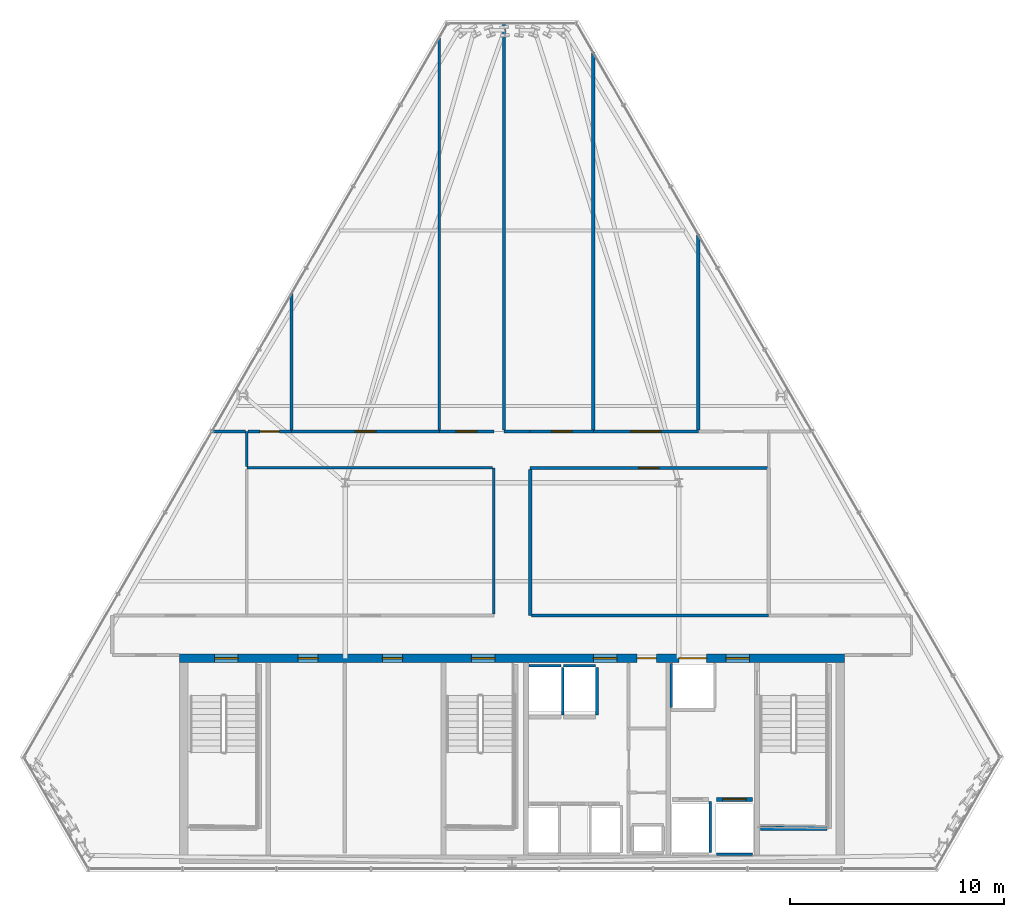
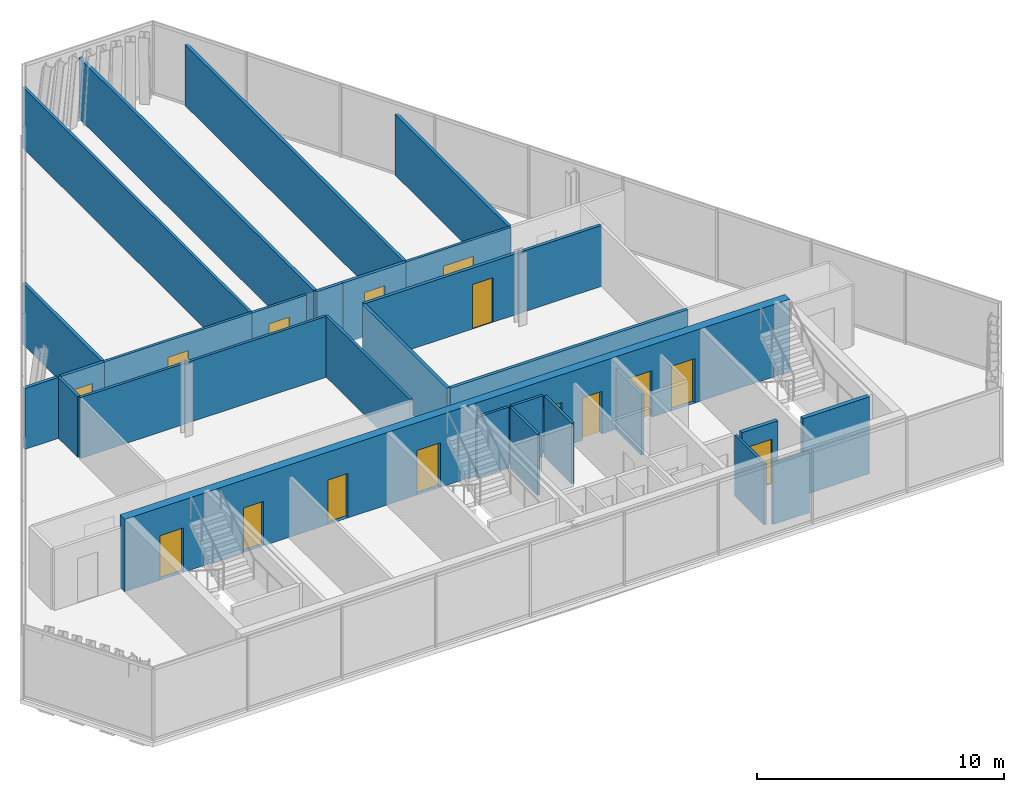
# One storey, part 28 of 32: 28 walls, 15 doors, 15 openings.
"""IFC4 building model written with IfcOpenShell, lengths in metres."""

from ifc_helpers import new_model, si_unit, direction, frame, frame_2d, origin, place, context, subcontext, project, spatial, rectangle, extrude, material, layer, layer_set, type_object, element, fill, save


model = new_model("IFC4")

# Units and contexts
model_context = context("Model", 3, precision=1e-05, world=origin(), true_north=direction((0.0, 1.0)))
body_context = subcontext(model_context, "Body", "Model", "MODEL_VIEW")
ifc_project = project(units=[si_unit("LENGTHUNIT", "METRE"), si_unit("AREAUNIT", "SQUARE_METRE"), si_unit("VOLUMEUNIT", "CUBIC_METRE"), si_unit("PLANEANGLEUNIT", "RADIAN"), si_unit("MASSUNIT", "GRAM", prefix="KILO")], contexts=[model_context])

# Site, building, storey
site_placement = place(None, origin())
site = spatial("IfcSite", under=ifc_project, at=site_placement, CompositionType="ELEMENT")
building_placement = place(site_placement, origin())
building = spatial("IfcBuilding", under=site, at=building_placement, Name="Ndaravel Arena Tower", CompositionType="ELEMENT")
storey_placement = place(building_placement, frame((0.0, 0.0, 259.800048828125)))
storey = spatial("IfcBuildingStorey", under=building, at=storey_placement, Name="L63", CompositionType="ELEMENT", Elevation=259.800048828125)

# Wall, openings, doors
ifc_material_1 = material(Name="Concrete C50/60", Category="concrete")
ifc_layer_1 = layer(ifc_material_1, 0.39990234375)
ifc_layer_set_1 = layer_set([ifc_layer_1], Name="Concrete C50/60")
wall_type_1 = type_object("IfcWallType", Name="WALL-CORE-400", PredefinedType="SOLIDWALL", material=ifc_layer_set_1)
wall_1_placement = place(storey_placement, frame((26.449951171875, 15.0, 0.0), z_axis=(0.0, 0.0, 1.0), x_axis=(1.0, 0.0, 0.0)))
wall_1 = element("IfcWall", 1, at=wall_1_placement, inside=storey, type_object=wall_type_1, Name="L63 Core North Shear Wall", PredefinedType="SOLIDWALL", context=body_context, shape_type="SweptSolid", body=[
    extrude(rectangle(XDim=31.10009765625, YDim=0.39990234375, at=frame_2d((15.550048828125, 0.0))), origin(), (0.0, 0.0, 1.0), 3.579833984375),
])
opening_1_placement = place(wall_1_placement, frame((1.64990234375, 0.0, 0.0)))
opening_1 = element("IfcOpeningElement", 2, at=opening_1_placement, cuts=wall_1, Name="Opening FD-01", PredefinedType="OPENING", context=body_context, shape_type="SweptSolid", body=[
    extrude(rectangle(XDim=1.10009765625, YDim=2.199951171875, at=frame_2d((0.550048828125, 1.10009765625))), frame((0.0, 0.199951171875, 0.0), z_axis=(0.0, -1.0, 0.0), x_axis=(1.0, 0.0, 0.0)), (0.0, 0.0, 1.0), 0.39990234375),
])
opening_2_placement = place(wall_1_placement, frame((13.64990234375, 0.0, 0.0)))
opening_2 = element("IfcOpeningElement", 3, at=opening_2_placement, cuts=wall_1, Name="Opening FD-01", PredefinedType="OPENING", context=body_context, shape_type="SweptSolid", body=[
    extrude(rectangle(XDim=1.10009765625, YDim=2.199951171875, at=frame_2d((0.550048828125, 1.10009765625))), frame((0.0, 0.199951171875, 0.0), z_axis=(0.0, -1.0, 0.0), x_axis=(1.0, 0.0, 0.0)), (0.0, 0.0, 1.0), 0.39990234375),
])
opening_3_placement = place(wall_1_placement, frame((25.550048828125, 0.0, 0.0)))
opening_3 = element("IfcOpeningElement", 4, at=opening_3_placement, cuts=wall_1, Name="Opening FD-01", PredefinedType="OPENING", context=body_context, shape_type="SweptSolid", body=[
    extrude(rectangle(XDim=1.10009765625, YDim=2.199951171875, at=frame_2d((0.550048828125, 1.10009765625))), frame((0.0, 0.199951171875, 0.0), z_axis=(0.0, -1.0, 0.0), x_axis=(1.0, 0.0, 0.0)), (0.0, 0.0, 1.0), 0.39990234375),
])
opening_4_placement = place(wall_1_placement, frame((19.35009765625, 0.0, 0.0)))
opening_4 = element("IfcOpeningElement", 5, at=opening_4_placement, cuts=wall_1, Name="Opening FD-01", PredefinedType="OPENING", context=body_context, shape_type="SweptSolid", body=[
    extrude(rectangle(XDim=1.10009765625, YDim=2.199951171875, at=frame_2d((0.550048828125, 1.10009765625))), frame((0.0, 0.199951171875, 0.0), z_axis=(0.0, -1.0, 0.0), x_axis=(1.0, 0.0, 0.0)), (0.0, 0.0, 1.0), 0.39990234375),
])
opening_5_placement = place(wall_1_placement, frame((21.39990234375, 0.0, 0.0)))
opening_5 = element("IfcOpeningElement", 6, at=opening_5_placement, cuts=wall_1, Name="Opening RD-01", PredefinedType="OPENING", context=body_context, shape_type="SweptSolid", body=[
    extrude(rectangle(XDim=0.89990234375, YDim=2.10009765625, at=frame_2d((0.449951171875, 1.050048828125))), frame((0.0, 0.199951171875, 0.0), z_axis=(0.0, -1.0, 0.0), x_axis=(1.0, 0.0, 0.0)), (0.0, 0.0, 1.0), 0.39990234375),
])
opening_6_placement = place(wall_1_placement, frame((5.5400390625, 0.0, 0.0)))
opening_6 = element("IfcOpeningElement", 7, at=opening_6_placement, cuts=wall_1, Name="Opening FD-03", PredefinedType="OPENING", context=body_context, shape_type="SweptSolid", body=[
    extrude(rectangle(XDim=0.949951171875, YDim=2.199951171875, at=frame_2d((0.47509765625, 1.10009765625))), frame((0.0, 0.199951171875, 0.0), z_axis=(0.0, -1.0, 0.0), x_axis=(1.0, 0.0, 0.0)), (0.0, 0.0, 1.0), 0.39990234375),
])
opening_7_placement = place(wall_1_placement, frame((9.489990234375, 0.0, 0.0)))
opening_7 = element("IfcOpeningElement", 8, at=opening_7_placement, cuts=wall_1, Name="Opening FD-03", PredefinedType="OPENING", context=body_context, shape_type="SweptSolid", body=[
    extrude(rectangle(XDim=0.949951171875, YDim=2.199951171875, at=frame_2d((0.47509765625, 1.10009765625))), frame((0.0, 0.199951171875, 0.0), z_axis=(0.0, -1.0, 0.0), x_axis=(1.0, 0.0, 0.0)), (0.0, 0.0, 1.0), 0.39990234375),
])
opening_8_placement = place(wall_1_placement, frame((23.35009765625, 0.0, 0.0)))
opening_8 = element("IfcOpeningElement", 9, at=opening_8_placement, cuts=wall_1, Name="Opening LD-02", PredefinedType="OPENING", context=body_context, shape_type="SweptSolid", body=[
    extrude(rectangle(XDim=1.300048828125, YDim=2.300048828125, at=frame_2d((0.64990234375, 1.14990234375))), frame((0.0, 0.199951171875, 0.0), z_axis=(0.0, -1.0, 0.0), x_axis=(1.0, 0.0, 0.0)), (0.0, 0.0, 1.0), 0.39990234375),
])
ifc_material_2 = material(Name="Steel S355", Category="steel")
door_type_1 = type_object("IfcDoorType", Name="DT-01-STAIR-1100", OperationType="SINGLE_SWING_LEFT", PredefinedType="DOOR", material=ifc_material_2)
door_1_placement = place(opening_1_placement, origin())
door_1 = element("IfcDoor", 10, at=door_1_placement, inside=storey, type_object=door_type_1, Name="L63 Exit Stair ST-1 Door", OperationType="SINGLE_SWING_RIGHT", OverallHeight=2.199951171875, OverallWidth=1.10009765625, PredefinedType="DOOR", context=body_context, shape_type="SweptSolid", body=[
    extrude(rectangle(XDim=1.10009765625, YDim=2.199951171875, at=frame_2d((0.550048828125, 1.10009765625))), frame((0.0, 0.02490234375, 0.0), z_axis=(0.0, -1.0, 0.0), x_axis=(1.0, 0.0, 0.0)), (0.0, 0.0, 1.0), 0.050048828125),
])
fill(opening_1, door_1)
door_2_placement = place(opening_2_placement, origin())
door_2 = element("IfcDoor", 11, at=door_2_placement, inside=storey, type_object=door_type_1, Name="L63 Exit Stair ST-2 Door", OperationType="SINGLE_SWING_LEFT", OverallHeight=2.199951171875, OverallWidth=1.10009765625, PredefinedType="DOOR", context=body_context, shape_type="SweptSolid", body=[
    extrude(rectangle(XDim=1.10009765625, YDim=2.199951171875, at=frame_2d((0.550048828125, 1.10009765625))), frame((0.0, 0.02490234375, 0.0), z_axis=(0.0, -1.0, 0.0), x_axis=(1.0, 0.0, 0.0)), (0.0, 0.0, 1.0), 0.050048828125),
])
fill(opening_2, door_2)
door_3_placement = place(opening_3_placement, origin())
door_3 = element("IfcDoor", 12, at=door_3_placement, inside=storey, type_object=door_type_1, Name="L63 Firefighting Lift Lobby Door", OperationType="SINGLE_SWING_RIGHT", OverallHeight=2.199951171875, OverallWidth=1.10009765625, PredefinedType="DOOR", context=body_context, shape_type="SweptSolid", body=[
    extrude(rectangle(XDim=1.10009765625, YDim=2.199951171875, at=frame_2d((0.550048828125, 1.10009765625))), frame((0.0, 0.02490234375, 0.0), z_axis=(0.0, -1.0, 0.0), x_axis=(1.0, 0.0, 0.0)), (0.0, 0.0, 1.0), 0.050048828125),
])
fill(opening_3, door_3)
door_4_placement = place(opening_4_placement, origin())
door_4 = element("IfcDoor", 13, at=door_4_placement, inside=storey, type_object=door_type_1, Name="L63 Express Lift Lobby Entry Door", OperationType="SINGLE_SWING_LEFT", OverallHeight=2.199951171875, OverallWidth=1.10009765625, PredefinedType="DOOR", context=body_context, shape_type="SweptSolid", body=[
    extrude(rectangle(XDim=1.10009765625, YDim=2.199951171875, at=frame_2d((0.550048828125, 1.10009765625))), frame((0.0, 0.02490234375, 0.0), z_axis=(0.0, -1.0, 0.0), x_axis=(1.0, 0.0, 0.0)), (0.0, 0.0, 1.0), 0.050048828125),
])
fill(opening_4, door_4)
ifc_material_3 = material(Name="Steel S355", Category="steel")
door_type_2 = type_object("IfcDoorType", Name="DT-07-SVLIFT-1300", OperationType="DOUBLE_DOOR_SLIDING", PredefinedType="DOOR", material=ifc_material_3)
door_5_placement = place(opening_8_placement, origin())
door_5 = element("IfcDoor", 14, at=door_5_placement, inside=storey, type_object=door_type_2, Name="L63 Lift SVL-1 Sliding Landing Door", OperationType="DOUBLE_DOOR_SLIDING", OverallHeight=2.300048828125, OverallWidth=1.300048828125, PredefinedType="DOOR", context=body_context, shape_type="SweptSolid", body=[
    extrude(rectangle(XDim=1.300048828125, YDim=2.300048828125, at=frame_2d((0.64990234375, 1.14990234375))), frame((0.0, 0.02490234375, 0.0), z_axis=(0.0, -1.0, 0.0), x_axis=(1.0, 0.0, 0.0)), (0.0, 0.0, 1.0), 0.050048828125),
])
fill(opening_8, door_5)
ifc_material_4 = material(Name="Steel S355", Category="steel")
door_type_3 = type_object("IfcDoorType", Name="DT-08-RISER-900", OperationType="SINGLE_SWING_LEFT", PredefinedType="DOOR", material=ifc_material_4)
door_6_placement = place(opening_5_placement, origin())
door_6 = element("IfcDoor", 15, at=door_6_placement, inside=storey, type_object=door_type_3, Name="L63 Core Service Riser North Door", OperationType="SINGLE_SWING_LEFT", OverallHeight=2.10009765625, OverallWidth=0.89990234375, PredefinedType="DOOR", context=body_context, shape_type="SweptSolid", body=[
    extrude(rectangle(XDim=0.89990234375, YDim=2.10009765625, at=frame_2d((0.449951171875, 1.050048828125))), frame((0.0, 0.02490234375, 0.0), z_axis=(0.0, -1.0, 0.0), x_axis=(1.0, 0.0, 0.0)), (0.0, 0.0, 1.0), 0.050048828125),
])
fill(opening_5, door_6)
ifc_material_5 = material(Name="Steel S355", Category="steel")
door_type_4 = type_object("IfcDoorType", Name="DT-11-CORE-950", OperationType="SINGLE_SWING_LEFT", PredefinedType="DOOR", material=ifc_material_5)
door_7_placement = place(opening_6_placement, origin())
door_7 = element("IfcDoor", 16, at=door_7_placement, inside=storey, type_object=door_type_4, Name="L63 High-Zone Reclaimed Core Room 1 Door", OperationType="SINGLE_SWING_LEFT", OverallHeight=2.199951171875, OverallWidth=0.949951171875, PredefinedType="DOOR", context=body_context, shape_type="SweptSolid", body=[
    extrude(rectangle(XDim=0.949951171875, YDim=2.199951171875, at=frame_2d((0.47509765625, 1.10009765625))), frame((0.0, 0.02490234375, 0.0), z_axis=(0.0, -1.0, 0.0), x_axis=(1.0, 0.0, 0.0)), (0.0, 0.0, 1.0), 0.050048828125),
])
fill(opening_6, door_7)
door_8_placement = place(opening_7_placement, origin())
door_8 = element("IfcDoor", 17, at=door_8_placement, inside=storey, type_object=door_type_4, Name="L63 High-Zone Reclaimed Core Room 2 Door", OperationType="SINGLE_SWING_RIGHT", OverallHeight=2.199951171875, OverallWidth=0.949951171875, PredefinedType="DOOR", context=body_context, shape_type="SweptSolid", body=[
    extrude(rectangle(XDim=0.949951171875, YDim=2.199951171875, at=frame_2d((0.47509765625, 1.10009765625))), frame((0.0, 0.02490234375, 0.0), z_axis=(0.0, -1.0, 0.0), x_axis=(1.0, 0.0, 0.0)), (0.0, 0.0, 1.0), 0.050048828125),
])
fill(opening_7, door_8)

# Walls
ifc_material_6 = material(Name="Gypsum", Category="gypsum")
ifc_layer_2 = layer(ifc_material_6, 0.125)
ifc_layer_set_2 = layer_set([ifc_layer_2], Name="Gypsum")
wall_type_2 = type_object("IfcWallType", Name="WALL-PART-125", PredefinedType="PARTITIONING", material=ifc_layer_set_2)
wall_2_placement = place(storey_placement, frame((41.14990234375, 17.06494140625, 0.0), z_axis=(0.0, 0.0, 1.0), x_axis=(0.0, 1.0, 0.0)))
element("IfcWall", 18, at=wall_2_placement, inside=storey, type_object=wall_type_2, Name="L63 Interior Partition 007", PredefinedType="PARTITIONING", context=body_context, shape_type="SweptSolid", body=[
    extrude(rectangle(XDim=6.8349609375, YDim=0.125, at=frame_2d((3.41748046875, 0.0))), origin(), (0.0, 0.0, 1.0), 3.010498046875),
])
wall_3_placement = place(storey_placement, frame((41.0849609375, 23.89990234375, 0.0), z_axis=(0.0, 0.0, 1.0), x_axis=(-1.0, 0.0, 0.0)))
element("IfcWall", 19, at=wall_3_placement, inside=storey, type_object=wall_type_2, Name="L63 Interior Partition 008", PredefinedType="PARTITIONING", context=body_context, shape_type="SweptSolid", body=[
    extrude(rectangle(XDim=11.48486328125, YDim=0.125, at=frame_2d((5.742431640625, 0.0))), origin(), (0.0, 0.0, 1.0), 3.010498046875),
])
wall_4_placement = place(storey_placement, frame((29.60009765625, 23.965087890625, 0.0), z_axis=(0.0, 0.0, 1.0), x_axis=(0.0, 1.0, 0.0)))
element("IfcWall", 20, at=wall_4_placement, inside=storey, type_object=wall_type_2, Name="L63 Interior Partition 009", PredefinedType="PARTITIONING", context=body_context, shape_type="SweptSolid", body=[
    extrude(rectangle(XDim=1.635009765625, YDim=0.125, at=frame_2d((0.8173828125, 0.0))), origin(), (0.0, 0.0, 1.0), 3.010498046875),
])

# Wall, opening, door
wall_5_placement = place(storey_placement, frame((31.69091796875, 25.60009765625, 0.0), z_axis=(0.0, 0.0, 1.0), x_axis=(1.0, 0.0, 0.0)))
wall_5 = element("IfcWall", 21, at=wall_5_placement, inside=storey, type_object=wall_type_2, Name="L63 Interior Partition 011", PredefinedType="PARTITIONING", context=body_context, shape_type="SweptSolid", body=[
    extrude(rectangle(XDim=6.9091796875, YDim=0.125, at=frame_2d((3.45458984375, 0.0))), origin(), (0.0, 0.0, 1.0), 3.010498046875),
])
opening_9_placement = place(wall_5_placement, frame((2.9794921875, 0.0, 0.0)))
opening_9 = element("IfcOpeningElement", 22, at=opening_9_placement, cuts=wall_5, Name="Opening ID-01", PredefinedType="OPENING", context=body_context, shape_type="SweptSolid", body=[
    extrude(rectangle(XDim=0.949951171875, YDim=2.199951171875, at=frame_2d((0.47509765625, 1.10009765625))), frame((0.0, 0.0625, 0.0), z_axis=(0.0, -1.0, 0.0), x_axis=(1.0, 0.0, 0.0)), (0.0, 0.0, 1.0), 0.125),
])
ifc_material_7 = material(Name="Timber", Category="wood")
door_type_5 = type_object("IfcDoorType", Name="DT-03-OFFICE-950", OperationType="SINGLE_SWING_LEFT", PredefinedType="DOOR", material=ifc_material_7)
door_9_placement = place(opening_9_placement, origin())
door_9 = element("IfcDoor", 23, at=door_9_placement, inside=storey, type_object=door_type_5, Name="L63 Concierge Arrival Salon 2 Door", OperationType="SINGLE_SWING_RIGHT", OverallHeight=2.199951171875, OverallWidth=0.949951171875, PredefinedType="DOOR", context=body_context, shape_type="SweptSolid", body=[
    extrude(rectangle(XDim=0.949951171875, YDim=2.199951171875, at=frame_2d((0.47509765625, 1.10009765625))), frame((0.0, 0.02490234375, 0.0), z_axis=(0.0, -1.0, 0.0), x_axis=(1.0, 0.0, 0.0)), (0.0, 0.0, 1.0), 0.050048828125),
])
fill(opening_9, door_9)

wall_6_placement = place(storey_placement, frame((38.60009765625, 25.60009765625, 0.0), z_axis=(0.0, 0.0, 1.0), x_axis=(1.0, 0.0, 0.0)))
wall_6 = element("IfcWall", 24, at=wall_6_placement, inside=storey, type_object=wall_type_2, Name="L63 Interior Partition 012", PredefinedType="PARTITIONING", context=body_context, shape_type="SweptSolid", body=[
    extrude(rectangle(XDim=2.5498046875, YDim=0.125, at=frame_2d((1.27490234375, 0.0))), origin(), (0.0, 0.0, 1.0), 3.010498046875),
])
opening_10_placement = place(wall_6_placement, frame((0.800048828125, 0.0, 0.0)))
opening_10 = element("IfcOpeningElement", 25, at=opening_10_placement, cuts=wall_6, Name="Opening ID-01", PredefinedType="OPENING", context=body_context, shape_type="SweptSolid", body=[
    extrude(rectangle(XDim=0.949951171875, YDim=2.199951171875, at=frame_2d((0.47509765625, 1.10009765625))), frame((0.0, 0.0625, 0.0), z_axis=(0.0, -1.0, 0.0), x_axis=(1.0, 0.0, 0.0)), (0.0, 0.0, 1.0), 0.125),
])
door_10_placement = place(opening_10_placement, origin())
door_10 = element("IfcDoor", 26, at=door_10_placement, inside=storey, type_object=door_type_5, Name="L63 Client Concierge Parlour 4 Door", OperationType="SINGLE_SWING_LEFT", OverallHeight=2.199951171875, OverallWidth=0.949951171875, PredefinedType="DOOR", context=body_context, shape_type="SweptSolid", body=[
    extrude(rectangle(XDim=0.949951171875, YDim=2.199951171875, at=frame_2d((0.47509765625, 1.10009765625))), frame((0.0, 0.02490234375, 0.0), z_axis=(0.0, -1.0, 0.0), x_axis=(1.0, 0.0, 0.0)), (0.0, 0.0, 1.0), 0.050048828125),
])
fill(opening_10, door_10)

wall_7_placement = place(storey_placement, frame((45.800048828125, 25.60009765625, 0.0), z_axis=(0.0, 0.0, 1.0), x_axis=(1.0, 0.0, 0.0)))
wall_7 = element("IfcWall", 27, at=wall_7_placement, inside=storey, type_object=wall_type_2, Name="L63 Interior Partition 015", PredefinedType="PARTITIONING", context=body_context, shape_type="SweptSolid", body=[
    extrude(rectangle(XDim=4.909912109375, YDim=0.125, at=frame_2d((2.455078125, 0.0))), origin(), (0.0, 0.0, 1.0), 3.010498046875),
])
opening_11_placement = place(wall_7_placement, frame((1.7548828125, 0.0, 0.0)))
opening_11 = element("IfcOpeningElement", 28, at=opening_11_placement, cuts=wall_7, Name="Opening ID-02", PredefinedType="OPENING", context=body_context, shape_type="SweptSolid", body=[
    extrude(rectangle(XDim=1.39990234375, YDim=2.199951171875, at=frame_2d((0.699951171875, 1.10009765625))), frame((0.0, 0.0625, 0.0), z_axis=(0.0, -1.0, 0.0), x_axis=(1.0, 0.0, 0.0)), (0.0, 0.0, 1.0), 0.125),
])
ifc_material_8 = material(Name="Timber", Category="wood")
door_type_6 = type_object("IfcDoorType", Name="DT-04-SUITE-1400", OperationType="DOUBLE_DOOR_SINGLE_SWING", PredefinedType="DOOR", material=ifc_material_8)
door_11_placement = place(opening_11_placement, origin())
door_11 = element("IfcDoor", 29, at=door_11_placement, inside=storey, type_object=door_type_6, Name="L63 Tenant Reception Suite 3 Door", OperationType="SINGLE_SWING_LEFT", OverallHeight=2.199951171875, OverallWidth=1.39990234375, PredefinedType="DOOR", context=body_context, shape_type="SweptSolid", body=[
    extrude(rectangle(XDim=1.39990234375, YDim=2.199951171875, at=frame_2d((0.699951171875, 1.10009765625))), frame((0.0, 0.02490234375, 0.0), z_axis=(0.0, -1.0, 0.0), x_axis=(1.0, 0.0, 0.0)), (0.0, 0.0, 1.0), 0.050048828125),
])
fill(opening_11, door_11)

# Walls
wall_8_placement = place(storey_placement, frame((38.60009765625, 44.010498046875, 0.0), z_axis=(0.0, 0.0, 1.0), x_axis=(0.0, -1.0, 0.0)))
element("IfcWall", 30, at=wall_8_placement, inside=storey, type_object=wall_type_2, Name="L63 Interior Partition 028", PredefinedType="PARTITIONING", context=body_context, shape_type="SweptSolid", body=[
    extrude(rectangle(XDim=18.345458984375, YDim=0.125, at=frame_2d((9.1728515625, 0.0))), origin(), (0.0, 0.0, 1.0), 3.010498046875),
])
ifc_material_9 = material(Name="Concrete C40/50", Category="concrete")
ifc_layer_3 = layer(ifc_material_9, 0.1201171875)
ifc_layer_set_3 = layer_set([ifc_layer_3], Name="Concrete C40/50")
wall_type_3 = type_object("IfcWallType", Name="WALL-SHAFT-120", PredefinedType="SOLIDWALL", material=ifc_layer_set_3)
wall_9_placement = place(storey_placement, frame((42.804931640625, 14.659912109375, 0.0), z_axis=(0.0, 0.0, 1.0), x_axis=(1.0, 0.0, 0.0)))
element("IfcWall", 31, at=wall_9_placement, inside=storey, type_object=wall_type_3, Name="L63 PL-OBS1 Shaft Rear Wall", PredefinedType="SOLIDWALL", context=body_context, shape_type="SweptSolid", body=[
    extrude(rectangle(XDim=1.489990234375, YDim=0.1201171875, at=frame_2d((0.7451171875, 0.0))), origin(), (0.0, 0.0, 1.0), 3.010498046875),
])
wall_10_placement = place(storey_placement, frame((44.375, 12.340087890625, 0.0), z_axis=(0.0, 0.0, 1.0), x_axis=(0.0, 1.0, 0.0)))
element("IfcWall", 32, at=wall_10_placement, inside=storey, type_object=wall_type_3, Name="L63 PL-OBS1 Shaft Side R Wall", PredefinedType="SOLIDWALL", context=body_context, shape_type="SweptSolid", body=[
    extrude(rectangle(XDim=2.22998046875, YDim=0.1201171875, at=frame_2d((1.114990234375, 0.0))), origin(), (0.0, 0.0, 1.0), 3.010498046875),
])
wall_11_placement = place(storey_placement, frame((44.405029296875, 14.659912109375, 0.0), z_axis=(0.0, 0.0, 1.0), x_axis=(1.0, 0.0, 0.0)))
element("IfcWall", 33, at=wall_11_placement, inside=storey, type_object=wall_type_3, Name="L63 PL-OBS2 Shaft Rear Wall", PredefinedType="SOLIDWALL", context=body_context, shape_type="SweptSolid", body=[
    extrude(rectangle(XDim=1.489990234375, YDim=0.1201171875, at=frame_2d((0.7451171875, 0.0))), origin(), (0.0, 0.0, 1.0), 3.010498046875),
])
wall_12_placement = place(storey_placement, frame((45.97509765625, 12.340087890625, 0.0), z_axis=(0.0, 0.0, 1.0), x_axis=(0.0, 1.0, 0.0)))
element("IfcWall", 34, at=wall_12_placement, inside=storey, type_object=wall_type_3, Name="L63 PL-OBS2 Shaft Side R Wall", PredefinedType="SOLIDWALL", context=body_context, shape_type="SweptSolid", body=[
    extrude(rectangle(XDim=2.22998046875, YDim=0.1201171875, at=frame_2d((1.114990234375, 0.0))), origin(), (0.0, 0.0, 1.0), 3.010498046875),
])
wall_13_placement = place(storey_placement, frame((51.27490234375, 5.929931640625, 0.0), z_axis=(0.0, 0.0, 1.0), x_axis=(0.0, 1.0, 0.0)))
element("IfcWall", 35, at=wall_13_placement, inside=storey, type_object=wall_type_3, Name="L63 FFL-1 Shaft Side R Wall", PredefinedType="SOLIDWALL", context=body_context, shape_type="SweptSolid", body=[
    extrude(rectangle(XDim=2.380126953125, YDim=0.1201171875, at=frame_2d((1.18994140625, 0.0))), origin(), (0.0, 0.0, 1.0), 3.010498046875),
])
wall_14_placement = place(storey_placement, frame((51.554931640625, 5.840087890625, 0.0), z_axis=(0.0, 0.0, 1.0), x_axis=(1.0, 0.0, 0.0)))
element("IfcWall", 36, at=wall_14_placement, inside=storey, type_object=wall_type_3, Name="L63 FFL-2 Shaft Rear Wall", PredefinedType="SOLIDWALL", context=body_context, shape_type="SweptSolid", body=[
    extrude(rectangle(XDim=1.690185546875, YDim=0.1201171875, at=frame_2d((0.84521484375, 0.0))), origin(), (0.0, 0.0, 1.0), 3.010498046875),
])
wall_15_placement = place(storey_placement, frame((49.43994140625, 12.68994140625, 0.0), z_axis=(0.0, 0.0, 1.0), x_axis=(0.0, 1.0, 0.0)))
element("IfcWall", 37, at=wall_15_placement, inside=storey, type_object=wall_type_3, Name="L63 SVL-1 Shaft W Wall", PredefinedType="SOLIDWALL", context=body_context, shape_type="SweptSolid", body=[
    extrude(rectangle(XDim=2.070068359375, YDim=0.1201171875, at=frame_2d((1.03515625, 0.0))), origin(), (0.0, 0.0, 1.0), 3.010498046875),
])
ifc_material_10 = material(Name="Concrete C40/50", Category="concrete")
ifc_layer_4 = layer(ifc_material_10, 0.199951171875)
ifc_layer_set_4 = layer_set([ifc_layer_4], Name="Concrete C40/50")
wall_type_4 = type_object("IfcWallType", Name="WALL-SHAFT-200", PredefinedType="SOLIDWALL", material=ifc_layer_set_4)
wall_16_placement = place(storey_placement, frame((53.6201171875, 7.050048828125, 0.0), z_axis=(0.0, 0.0, 1.0), x_axis=(1.0, 0.0, 0.0)))
element("IfcWall", 38, at=wall_16_placement, inside=storey, type_object=wall_type_4, Name="L63 ST-3 Structural Shaft Wall Far", PredefinedType="SOLIDWALL", context=body_context, shape_type="SweptSolid", body=[
    extrude(rectangle(XDim=3.114990234375, YDim=0.199951171875, at=frame_2d((1.5576171875, 0.0))), origin(), (0.0, 0.0, 1.0), 3.800048828125),
])

# Wall, opening, door
wall_17_placement = place(storey_placement, frame((51.554931640625, 8.39990234375, 0.0), z_axis=(0.0, 0.0, 1.0), x_axis=(1.0, 0.0, 0.0)))
wall_17 = element("IfcWall", 39, at=wall_17_placement, inside=storey, type_object=wall_type_4, Name="L63 FFL-2 Shaft Landing Wall", PredefinedType="SOLIDWALL", context=body_context, shape_type="SweptSolid", body=[
    extrude(rectangle(XDim=1.690185546875, YDim=0.179931640625, at=frame_2d((0.84521484375, 0.0))), origin(), (0.0, 0.0, 1.0), 3.010498046875),
])
opening_12_placement = place(wall_17_placement, frame((0.294921875, 0.0, 0.0)))
opening_12 = element("IfcOpeningElement", 40, at=opening_12_placement, cuts=wall_17, Name="Opening LD-01", PredefinedType="OPENING", context=body_context, shape_type="SweptSolid", body=[
    extrude(rectangle(XDim=1.10009765625, YDim=2.199951171875, at=frame_2d((0.550048828125, 1.10009765625))), frame((0.0, 0.08984375, 0.0), z_axis=(0.0, -1.0, 0.0), x_axis=(1.0, 0.0, 0.0)), (0.0, 0.0, 1.0), 0.179931640625),
])
ifc_material_11 = material(Name="Steel S355", Category="steel")
door_type_7 = type_object("IfcDoorType", Name="DT-06-LIFT-1100", OperationType="SLIDING_TO_LEFT", PredefinedType="DOOR", material=ifc_material_11)
door_12_placement = place(opening_12_placement, origin())
door_12 = element("IfcDoor", 41, at=door_12_placement, inside=storey, type_object=door_type_7, Name="L63 Lift FFL-2 Sliding Landing Door", OperationType="SLIDING_TO_LEFT", OverallHeight=2.199951171875, OverallWidth=1.10009765625, PredefinedType="DOOR", context=body_context, shape_type="SweptSolid", body=[
    extrude(rectangle(XDim=1.10009765625, YDim=2.199951171875, at=frame_2d((0.550048828125, 1.10009765625))), frame((0.0, 0.02490234375, 0.0), z_axis=(0.0, -1.0, 0.0), x_axis=(1.0, 0.0, 0.0)), (0.0, 0.0, 1.0), 0.050048828125),
])
fill(opening_12, door_12)

ifc_material_12 = material(Name="Masonry", Category="masonry")
ifc_layer_5 = layer(ifc_material_12, 0.14990234375)
ifc_layer_set_5 = layer_set([ifc_layer_5], Name="Masonry")
wall_type_5 = type_object("IfcWallType", Name="WALL-WET-150", PredefinedType="PARTITIONING", material=ifc_layer_set_5)
wall_18_placement = place(storey_placement, frame((29.6650390625, 25.60009765625, 0.0), z_axis=(0.0, 0.0, 1.0), x_axis=(1.0, 0.0, 0.0)))
wall_18 = element("IfcWall", 42, at=wall_18_placement, inside=storey, type_object=wall_type_5, Name="L63 Interior Partition 010", PredefinedType="PARTITIONING", context=body_context, shape_type="SweptSolid", body=[
    extrude(rectangle(XDim=2.02587890625, YDim=0.14990234375, at=frame_2d((1.012939453125, 0.0))), origin(), (0.0, 0.0, 1.0), 3.010498046875),
])
opening_13_placement = place(wall_18_placement, frame((0.56298828125, 0.0, 0.0)))
opening_13 = element("IfcOpeningElement", 43, at=opening_13_placement, cuts=wall_18, Name="Opening WD-01", PredefinedType="OPENING", context=body_context, shape_type="SweptSolid", body=[
    extrude(rectangle(XDim=0.89990234375, YDim=2.14990234375, at=frame_2d((0.449951171875, 1.074951171875))), frame((0.0, 0.074951171875, 0.0), z_axis=(0.0, -1.0, 0.0), x_axis=(1.0, 0.0, 0.0)), (0.0, 0.0, 1.0), 0.14990234375),
])
ifc_material_13 = material(Name="Timber", Category="wood")
door_type_8 = type_object("IfcDoorType", Name="DT-05-WC-900", OperationType="SINGLE_SWING_LEFT", PredefinedType="DOOR", material=ifc_material_13)
door_13_placement = place(opening_13_placement, origin())
door_13 = element("IfcDoor", 44, at=door_13_placement, inside=storey, type_object=door_type_8, Name="L63 Male Staff & Visitor Restroom Door", OperationType="SINGLE_SWING_RIGHT", OverallHeight=2.14990234375, OverallWidth=0.89990234375, PredefinedType="DOOR", context=body_context, shape_type="SweptSolid", body=[
    extrude(rectangle(XDim=0.89990234375, YDim=2.14990234375, at=frame_2d((0.449951171875, 1.074951171875))), frame((0.0, 0.02490234375, 0.0), z_axis=(0.0, -1.0, 0.0), x_axis=(1.0, 0.0, 0.0)), (0.0, 0.0, 1.0), 0.050048828125),
])
fill(opening_13, door_13)

# Wall
wall_19_placement = place(storey_placement, frame((41.6240234375, 25.60009765625, 0.0), z_axis=(0.0, 0.0, 1.0), x_axis=(1.0, 0.0, 0.0)))
element("IfcWall", 45, at=wall_19_placement, inside=storey, type_object=wall_type_5, Name="L63 Interior Partition 013", PredefinedType="PARTITIONING", context=body_context, shape_type="SweptSolid", body=[
    extrude(rectangle(XDim=1.22607421875, YDim=0.14990234375, at=frame_2d((0.613037109375, 0.0))), origin(), (0.0, 0.0, 1.0), 3.010498046875),
])

# Wall, opening, door
wall_20_placement = place(storey_placement, frame((42.85009765625, 25.60009765625, 0.0), z_axis=(0.0, 0.0, 1.0), x_axis=(1.0, 0.0, 0.0)))
wall_20 = element("IfcWall", 46, at=wall_20_placement, inside=storey, type_object=wall_type_5, Name="L63 Interior Partition 014", PredefinedType="PARTITIONING", context=body_context, shape_type="SweptSolid", body=[
    extrude(rectangle(XDim=2.949951171875, YDim=0.14990234375, at=frame_2d((1.47509765625, 0.0))), origin(), (0.0, 0.0, 1.0), 3.010498046875),
])
opening_14_placement = place(wall_20_placement, frame((1.0, 0.0, 0.0)))
opening_14 = element("IfcOpeningElement", 47, at=opening_14_placement, cuts=wall_20, Name="Opening FD-03", PredefinedType="OPENING", context=body_context, shape_type="SweptSolid", body=[
    extrude(rectangle(XDim=0.949951171875, YDim=2.199951171875, at=frame_2d((0.47509765625, 1.10009765625))), frame((0.0, 0.074951171875, 0.0), z_axis=(0.0, -1.0, 0.0), x_axis=(1.0, 0.0, 0.0)), (0.0, 0.0, 1.0), 0.14990234375),
])
door_14_placement = place(opening_14_placement, origin())
door_14 = element("IfcDoor", 48, at=door_14_placement, inside=storey, type_object=door_type_4, Name="L63 Floor Servery Kitchen 4 Door", OperationType="SINGLE_SWING_RIGHT", OverallHeight=2.199951171875, OverallWidth=0.949951171875, PredefinedType="DOOR", context=body_context, shape_type="SweptSolid", body=[
    extrude(rectangle(XDim=0.949951171875, YDim=2.199951171875, at=frame_2d((0.47509765625, 1.10009765625))), frame((0.0, 0.02490234375, 0.0), z_axis=(0.0, -1.0, 0.0), x_axis=(1.0, 0.0, 0.0)), (0.0, 0.0, 1.0), 0.050048828125),
])
fill(opening_14, door_14)

wall_21_placement = place(storey_placement, frame((53.93505859375, 23.89990234375, 0.0), z_axis=(0.0, 0.0, 1.0), x_axis=(-1.0, 0.0, 0.0)))
wall_21 = element("IfcWall", 49, at=wall_21_placement, inside=storey, type_object=wall_type_5, Name="L63 Interior Partition 018", PredefinedType="PARTITIONING", context=body_context, shape_type="SweptSolid", body=[
    extrude(rectangle(XDim=11.0849609375, YDim=0.14990234375, at=frame_2d((5.54248046875, 0.0))), origin(), (0.0, 0.0, 1.0), 3.010498046875),
])
opening_15_placement = place(wall_21_placement, frame((5.0673828125, 0.0, 0.0)))
opening_15 = element("IfcOpeningElement", 50, at=opening_15_placement, cuts=wall_21, Name="Opening FD-03", PredefinedType="OPENING", context=body_context, shape_type="SweptSolid", body=[
    extrude(rectangle(XDim=0.949951171875, YDim=2.199951171875, at=frame_2d((0.47509765625, 1.10009765625))), frame((0.0, 0.074951171875, 0.0), z_axis=(0.0, -1.0, 0.0), x_axis=(1.0, 0.0, 0.0)), (0.0, 0.0, 1.0), 0.14990234375),
])
door_15_placement = place(opening_15_placement, origin())
door_15 = element("IfcDoor", 51, at=door_15_placement, inside=storey, type_object=door_type_4, Name="L63 Catering Pantry 2 Door", OperationType="SINGLE_SWING_RIGHT", OverallHeight=2.199951171875, OverallWidth=0.949951171875, PredefinedType="DOOR", context=body_context, shape_type="SweptSolid", body=[
    extrude(rectangle(XDim=0.949951171875, YDim=2.199951171875, at=frame_2d((0.47509765625, 1.10009765625))), frame((0.0, 0.02490234375, 0.0), z_axis=(0.0, -1.0, 0.0), x_axis=(1.0, 0.0, 0.0)), (0.0, 0.0, 1.0), 0.050048828125),
])
fill(opening_15, door_15)

# Walls
wall_22_placement = place(storey_placement, frame((42.85009765625, 23.8349609375, 0.0), z_axis=(0.0, 0.0, 1.0), x_axis=(0.0, -1.0, 0.0)))
element("IfcWall", 52, at=wall_22_placement, inside=storey, type_object=wall_type_5, Name="L63 Interior Partition 019", PredefinedType="PARTITIONING", context=body_context, shape_type="SweptSolid", body=[
    extrude(rectangle(XDim=6.8349609375, YDim=0.14990234375, at=frame_2d((3.41748046875, 0.0))), origin(), (0.0, 0.0, 1.0), 3.010498046875),
])
wall_23_placement = place(storey_placement, frame((42.9150390625, 17.0, 0.0), z_axis=(0.0, 0.0, 1.0), x_axis=(1.0, 0.0, 0.0)))
element("IfcWall", 53, at=wall_23_placement, inside=storey, type_object=wall_type_5, Name="L63 Interior Partition 020", PredefinedType="PARTITIONING", context=body_context, shape_type="SweptSolid", body=[
    extrude(rectangle(XDim=11.0849609375, YDim=0.14990234375, at=frame_2d((5.54248046875, 0.0))), origin(), (0.0, 0.0, 1.0), 3.010498046875),
])
wall_24_placement = place(storey_placement, frame((27.970703125, 25.60009765625, 0.0), z_axis=(0.0, 0.0, 1.0), x_axis=(1.0, 0.0, 0.0)))
element("IfcWall", 54, at=wall_24_placement, inside=storey, type_object=wall_type_5, Name="L63 Interior Partition 023", PredefinedType="PARTITIONING", context=body_context, shape_type="SweptSolid", body=[
    extrude(rectangle(XDim=1.564208984375, YDim=0.14990234375, at=frame_2d((0.7822265625, 0.0))), origin(), (0.0, 0.0, 1.0), 3.010498046875),
])
wall_25_placement = place(storey_placement, frame((31.69091796875, 32.043701171875, 0.0), z_axis=(0.0, 0.0, 1.0), x_axis=(0.0, -1.0, 0.0)))
element("IfcWall", 55, at=wall_25_placement, inside=storey, type_object=wall_type_5, Name="L63 Interior Partition 026", PredefinedType="PARTITIONING", context=body_context, shape_type="SweptSolid", body=[
    extrude(rectangle(XDim=6.378662109375, YDim=0.14990234375, at=frame_2d((3.189453125, 0.0))), origin(), (0.0, 0.0, 1.0), 3.010498046875),
])
wall_26_placement = place(storey_placement, frame((50.7099609375, 25.6650390625, 0.0), z_axis=(0.0, 0.0, 1.0), x_axis=(0.0, 1.0, 0.0)))
element("IfcWall", 56, at=wall_26_placement, inside=storey, type_object=wall_type_5, Name="L63 Interior Partition 027", PredefinedType="PARTITIONING", context=body_context, shape_type="SweptSolid", body=[
    extrude(rectangle(XDim=9.148193359375, YDim=0.14990234375, at=frame_2d((4.57421875, 0.0))), origin(), (0.0, 0.0, 1.0), 3.010498046875),
])
wall_27_placement = place(storey_placement, frame((45.800048828125, 25.6650390625, 0.0), z_axis=(0.0, 0.0, 1.0), x_axis=(0.0, 1.0, 0.0)))
element("IfcWall", 57, at=wall_27_placement, inside=storey, type_object=wall_type_5, Name="L63 Interior Partition 029", PredefinedType="PARTITIONING", context=body_context, shape_type="SweptSolid", body=[
    extrude(rectangle(XDim=17.652587890625, YDim=0.14990234375, at=frame_2d((8.826171875, 0.0))), origin(), (0.0, 0.0, 1.0), 3.010498046875),
])
wall_28_placement = place(storey_placement, frame((41.6240234375, 25.6650390625, 0.0), z_axis=(0.0, 0.0, 1.0), x_axis=(0.0, 1.0, 0.0)))
element("IfcWall", 58, at=wall_28_placement, inside=storey, type_object=wall_type_5, Name="L63 Interior Partition 030", PredefinedType="PARTITIONING", context=body_context, shape_type="SweptSolid", body=[
    extrude(rectangle(XDim=19.014404296875, YDim=0.14990234375, at=frame_2d((9.50732421875, 0.0))), origin(), (0.0, 0.0, 1.0), 3.010498046875),
])

save(model, "model.ifc")
